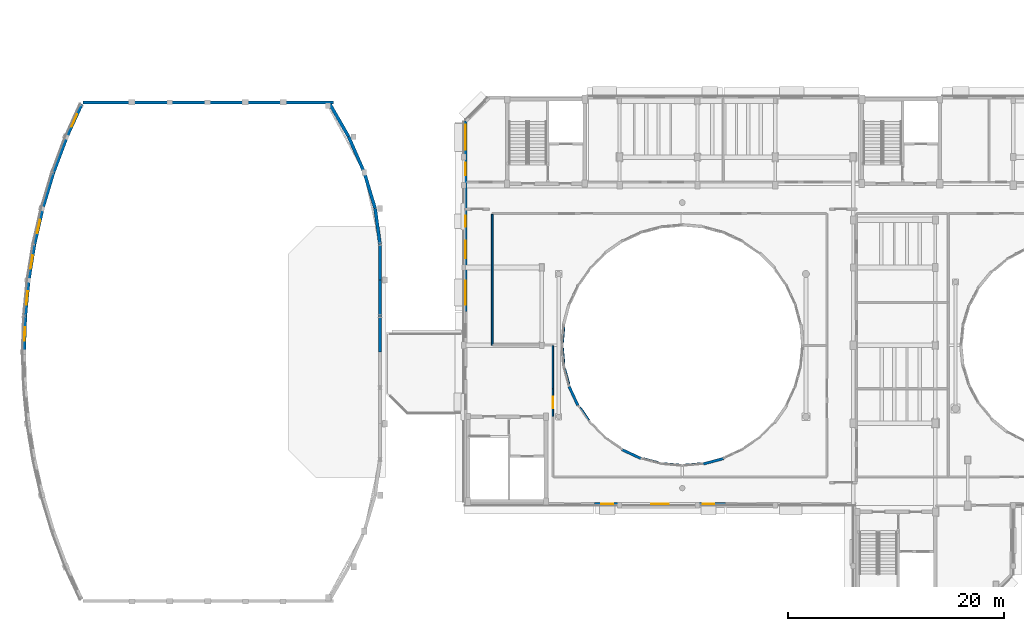
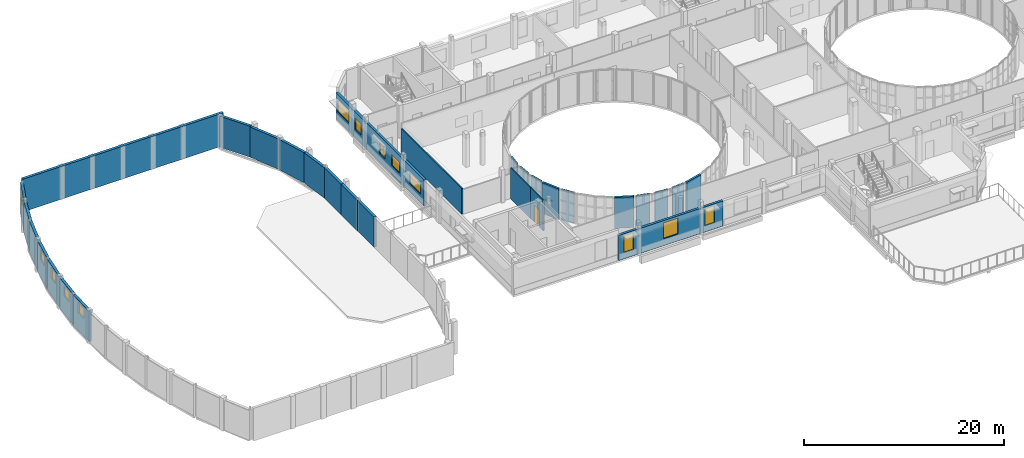
# One storey, part 66 of 89: 30 walls, 13 windows, 1 door, 14 openings.
"""IFC4 building model written with IfcOpenShell, lengths in metres."""

import ifcopenshell
import ifcopenshell.guid

model = None  # the IFC model being written
_history = None  # IfcOwnerHistory: only IFC2X3 demands one
_inside = {}  # id of a spatial element -> (the spatial element, [elements in it])
_under = {}  # id of a project, library or spatial element -> (it, [spatial elements below it])
_declared = {}  # id of a project -> (the project, [libraries it declares])
_typed = {}  # id of a type object -> (the type object, [elements of that type])
_made_of = {}  # id of a material, layer set ... -> (it, [elements and type objects made of it])


def new_model(schema):
    """Start an empty IFC model of exactly this schema.

    Asked for "IFC4X3", IfcOpenShell would pick the latest addendum, in which some entities
    have other attributes; the version numbers below select the first issue.
    IFC2X3 requires an IfcOwnerHistory on every rooted entity: one is made here for all.
    """
    global model, _history
    if schema == "IFC4X3":
        model = ifcopenshell.file(schema_version=(4, 3, 0, 0))
    else:
        model = ifcopenshell.file(schema=schema)
    _inside.clear()
    _under.clear()
    _declared.clear()
    _typed.clear()
    _made_of.clear()
    _history = None
    if model.schema == "IFC2X3":
        org = make("IfcOrganization", Name="unknown")
        user = make(
            "IfcPersonAndOrganization",
            ThePerson=make("IfcPerson", FamilyName="unknown"),
            TheOrganization=org,
        )
        app = make(
            "IfcApplication",
            ApplicationDeveloper=org,
            Version="unknown",
            ApplicationFullName="unknown",
            ApplicationIdentifier="unknown",
        )
        _history = make(
            "IfcOwnerHistory",
            OwningUser=user,
            OwningApplication=app,
            ChangeAction="ADDED",
            CreationDate=0,
        )
    return model


def make(cls, **values):
    """One entity of the class cls with the attributes given. An attribute that is None is left unset."""
    return model.create_entity(
        cls, **{name: value for name, value in values.items() if value is not None}
    )


def rooted(cls, **values):
    """An entity with a GlobalId (a new one), such as an element, a storey or a relation."""
    return make(cls, GlobalId=ifcopenshell.guid.new(), OwnerHistory=_history, **values)


def si_unit(unit_type, name, prefix=None):
    """IfcSIUnit, for example si_unit("LENGTHUNIT", "METRE", prefix="MILLI")."""
    return make("IfcSIUnit", UnitType=unit_type, Prefix=prefix, Name=name)


def assignment(units):
    """IfcUnitAssignment: the units of a project."""
    return None if units is None else make("IfcUnitAssignment", Units=units)


def point(xyz):
    """IfcCartesianPoint."""
    return None if xyz is None else make("IfcCartesianPoint", Coordinates=xyz)


def direction(xyz):
    """IfcDirection."""
    return None if xyz is None else make("IfcDirection", DirectionRatios=xyz)


def frame(location, z_axis=None, x_axis=None):
    """IfcAxis2Placement3D, a coordinate frame: its origin and axes. An axis left out is left unset."""
    return make(
        "IfcAxis2Placement3D",
        Location=point(location),
        Axis=direction(z_axis),
        RefDirection=direction(x_axis),
    )


def frame_2d(location, x_axis=None):
    """IfcAxis2Placement2D, a coordinate frame in the plane: its origin and x axis."""
    return make(
        "IfcAxis2Placement2D", Location=point(location), RefDirection=direction(x_axis)
    )


def origin():
    """The frame at (0, 0, 0) with its axes left unset."""
    return frame((0.0, 0.0, 0.0))


def place(relative_to, where):
    """IfcLocalPlacement: puts the frame where relative to a parent placement (None: the world)."""
    return make(
        "IfcLocalPlacement", PlacementRelTo=relative_to, RelativePlacement=where
    )


def context(
    kind, dimensions, precision=None, world=None, true_north=None, identifier=None
):
    """IfcGeometricRepresentationContext, for example the 3D "Model" context."""
    return make(
        "IfcGeometricRepresentationContext",
        ContextIdentifier=identifier,
        ContextType=kind,
        CoordinateSpaceDimension=dimensions,
        Precision=precision,
        WorldCoordinateSystem=world,
        TrueNorth=true_north,
    )


def subcontext(parent, identifier, kind, view, scale=None):
    """IfcGeometricRepresentationSubContext, for example "Body" below "Model"."""
    return make(
        "IfcGeometricRepresentationSubContext",
        ContextIdentifier=identifier,
        ContextType=kind,
        ParentContext=parent,
        TargetScale=scale,
        TargetView=view,
    )


def project(units=None, contexts=None):
    """IfcProject with its units and contexts."""
    return rooted(
        "IfcProject",
        Name="project",
        RepresentationContexts=contexts,
        UnitsInContext=assignment(units),
    )


def spatial(cls, under=None, at=None, **own):
    """A site, building, storey or space (cls), placed at a placement, below another one or the project."""
    s = rooted(cls, ObjectPlacement=at, **own)
    if under is not None:
        _under.setdefault(under.id(), (under, []))[1].append(s)
    return s


def profile(cls, at=None, kind="AREA", **sizes):
    """A parametric profile (cls). Its sizes go by their IFC names, for example OverallWidth=200.0."""
    return make(cls, ProfileType=kind, Position=at, **sizes)


def rectangle(**sizes):
    """IfcRectangleProfileDef."""
    return profile("IfcRectangleProfileDef", **sizes)


def extrude(swept, where, along, depth):
    """IfcExtrudedAreaSolid: the profile swept, set in the frame where, extruded along a direction by depth."""
    return make(
        "IfcExtrudedAreaSolid",
        SweptArea=swept,
        Position=where,
        ExtrudedDirection=direction(along),
        Depth=depth,
    )


def shape(context_of_items, identifier, shape_type, items):
    """IfcShapeRepresentation: the items that make up one representation, for example the "Body"."""
    return make(
        "IfcShapeRepresentation",
        ContextOfItems=context_of_items,
        RepresentationIdentifier=identifier,
        RepresentationType=shape_type,
        Items=items,
    )


def material(Name=None, Category=None):
    """IfcMaterial."""
    return make("IfcMaterial", Name=Name, Category=Category)


def layer(
    of_material, thickness, ventilated=None, Name=None, Category=None, Priority=None
):
    """IfcMaterialLayer: one layer of a wall or slab, of a material (None: an air gap)."""
    return make(
        "IfcMaterialLayer",
        Material=of_material,
        LayerThickness=thickness,
        IsVentilated=ventilated,
        Name=Name,
        Category=Category,
        Priority=Priority,
    )


def layer_set(layers, Name=None):
    """IfcMaterialLayerSet."""
    return make("IfcMaterialLayerSet", MaterialLayers=layers, LayerSetName=Name)


def made_of(thing, what):
    """Note that an element or type object is made of a material, layer set ...; save() writes the relation."""
    if what is not None:
        _made_of.setdefault(what.id(), (what, []))[1].append(thing)
    return thing


def type_object(cls, material=None, **own):
    """A type object (cls), such as IfcWallType, which elements share."""
    return made_of(rooted(cls, **own), material)


def element(
    cls,
    number,
    at=None,
    inside=None,
    cuts=None,
    type_object=None,
    material=None,
    context=None,
    identifier="Body",
    shape_type=None,
    held_by="IfcProductDefinitionShape",
    body=None,
    shapes=None,
    **own,
):
    """One element of the class cls, such as IfcWall. Its Tag is "e" and its number.

    at: its placement. inside: the storey or other place that contains it. cuts: it is an
    opening in that element (IfcRelVoidsElement). A single representation is given by context,
    identifier, shape_type and body (its items); several are given by shapes. held_by: the class
    of the entity that holds the representations. save() writes the other relations.
    """
    e = rooted(cls, Tag="e%d" % number, ObjectPlacement=at, **own)
    if body is not None:
        shapes = [shape(context, identifier, shape_type, body)]
    if shapes is not None:
        e.Representation = make(held_by, Representations=shapes)
    if inside is not None:
        _inside.setdefault(inside.id(), (inside, []))[1].append(e)
    if cuts is not None:
        rooted(
            "IfcRelVoidsElement", RelatingBuildingElement=cuts, RelatedOpeningElement=e
        )
    if type_object is not None:
        _typed.setdefault(type_object.id(), (type_object, []))[1].append(e)
    return made_of(e, material)


def fill(opening, filler):
    """IfcRelFillsElement: the door or window that sits in an opening."""
    return rooted(
        "IfcRelFillsElement",
        RelatingOpeningElement=opening,
        RelatedBuildingElement=filler,
    )


def aggregate(whole, parts):
    """IfcRelAggregates: a whole, such as a stair, and the parts it consists of."""
    return rooted("IfcRelAggregates", RelatingObject=whole, RelatedObjects=parts)


def save(model, path):
    """Write the relations noted so far, then the file.

    IfcRelAggregates (storeys below a building ...), IfcRelContainedInSpatialStructure (elements
    in a storey), IfcRelDefinesByType, IfcRelAssociatesMaterial and IfcRelDeclares: one each for
    every whole, place, type object, material and project.
    """
    for whole, parts in _under.values():
        aggregate(whole, parts)
    for where, things in _inside.values():
        rooted(
            "IfcRelContainedInSpatialStructure",
            RelatedElements=things,
            RelatingStructure=where,
        )
    for kind, things in _typed.values():
        rooted("IfcRelDefinesByType", RelatedObjects=things, RelatingType=kind)
    for what, things in _made_of.values():
        rooted("IfcRelAssociatesMaterial", RelatedObjects=things, RelatingMaterial=what)
    for by, libraries in _declared.values():
        rooted("IfcRelDeclares", RelatingContext=by, RelatedDefinitions=libraries)
    model.write(path)


model = new_model("IFC4")

# Units and contexts
model_context = context("Model", 3, precision=1e-05, world=origin(), true_north=direction((0.0, 1.0)))
body_context = subcontext(model_context, "Body", "Model", "MODEL_VIEW")
ifc_project = project(units=[si_unit("LENGTHUNIT", "METRE"), si_unit("AREAUNIT", "SQUARE_METRE"), si_unit("VOLUMEUNIT", "CUBIC_METRE"), si_unit("PLANEANGLEUNIT", "RADIAN"), si_unit("MASSUNIT", "GRAM", prefix="KILO")], contexts=[model_context])

# Site, building, storey
site_placement = place(None, origin())
site = spatial("IfcSite", under=ifc_project, at=site_placement, CompositionType="ELEMENT")
building_placement = place(site_placement, origin())
building = spatial("IfcBuilding", under=site, at=building_placement, Name="Kelanivale Promenade Academy", CompositionType="ELEMENT")
storey_placement = place(building_placement, frame((0.0, 0.0, 12.199951171875)))
storey = spatial("IfcBuildingStorey", under=building, at=storey_placement, Name="L03", CompositionType="ELEMENT", Elevation=12.199951171875)

# Wall, opening, window
ifc_material_1 = material(Name="Insulated terracotta-clad masonry wall 300 mm", Category="masonry")
ifc_layer_1 = layer(ifc_material_1, 0.300048828125)
ifc_layer_set_1 = layer_set([ifc_layer_1], Name="Insulated terracotta-clad masonry wall 300 mm")
wall_type_1 = type_object("IfcWallType", Name="EW-01 Wall 300mm", PredefinedType="SOLIDWALL", material=ifc_layer_set_1)
wall_1_placement = place(storey_placement, frame((2.656005859375, 59.513916015625, 0.0), z_axis=(0.0, 0.0, 1.0), x_axis=(-0.031956559473, -0.999489258725, 0.0)))
wall_1 = element("IfcWall", 1, at=wall_1_placement, inside=storey, type_object=wall_type_1, Name="Sports Hall Crescent Pavilion curved terracotta wall L03", PredefinedType="SOLIDWALL", context=body_context, shape_type="SweptSolid", body=[
    extrude(rectangle(XDim=3.315673828125, YDim=0.300048828125, at=frame_2d((1.65771484375, 0.0))), origin(), (0.0, 0.0, 1.0), 3.695068359375),
])
opening_1_placement = place(wall_1_placement, frame((1.032958984375, 0.0, 2.14990234375)))
opening_1 = element("IfcOpeningElement", 2, at=opening_1_placement, cuts=wall_1, Name="Opening WT-20", PredefinedType="OPENING", context=body_context, shape_type="SweptSolid", body=[
    extrude(rectangle(XDim=1.25, YDim=1.25, at=frame_2d((0.625, 0.625))), frame((0.0, 0.16015625, 0.0), z_axis=(0.0, -1.0, 0.0), x_axis=(1.0, 0.0, 0.0)), (0.0, 0.0, 1.0), 0.320068359375),
])
ifc_material_2 = material(Name="Bronze anodised aluminium frame with low-E laminated glass", Category="aluminium")
window_type_1 = type_object("IfcWindowType", Name="WT-20 Window 1250x1250", PartitioningType="SINGLE_PANEL", PredefinedType="WINDOW", material=ifc_material_2)
window_1_placement = place(opening_1_placement, origin())
window_1 = element("IfcWindow", 3, at=window_1_placement, inside=storey, type_object=window_type_1, Name="Window WT-20", OverallHeight=1.25, OverallWidth=1.25, PartitioningType="SINGLE_PANEL", PredefinedType="WINDOW", context=body_context, shape_type="SweptSolid", body=[
    extrude(rectangle(XDim=1.25, YDim=1.25, at=frame_2d((0.625, 0.625))), frame((0.0, 0.030029296875, 0.0), z_axis=(0.0, -1.0, 0.0), x_axis=(1.0, 0.0, 0.0)), (0.0, 0.0, 1.0), 0.06005859375),
])
fill(opening_1, window_1)

wall_2_placement = place(storey_placement, frame((2.97412109375, 62.8291015625, 0.0), z_axis=(0.0, 0.0, 1.0), x_axis=(-0.095518246268, -0.995427679256, 0.0)))
wall_2 = element("IfcWall", 4, at=wall_2_placement, inside=storey, type_object=wall_type_1, Name="Sports Hall Crescent Pavilion curved terracotta wall L03", PredefinedType="SOLIDWALL", context=body_context, shape_type="SweptSolid", body=[
    extrude(rectangle(XDim=3.330322265625, YDim=0.300048828125, at=frame_2d((1.6650390625, 0.0))), origin(), (0.0, 0.0, 1.0), 3.695068359375),
])
opening_2_placement = place(wall_2_placement, frame((1.0400390625, 0.0, 2.14990234375)))
opening_2 = element("IfcOpeningElement", 5, at=opening_2_placement, cuts=wall_2, Name="Opening WT-20", PredefinedType="OPENING", context=body_context, shape_type="SweptSolid", body=[
    extrude(rectangle(XDim=1.25, YDim=1.25, at=frame_2d((0.625, 0.625))), frame((0.0, 0.16015625, 0.0), z_axis=(0.0, -1.0, 0.0), x_axis=(1.0, 0.0, 0.0)), (0.0, 0.0, 1.0), 0.320068359375),
])
window_2_placement = place(opening_2_placement, origin())
window_2 = element("IfcWindow", 6, at=window_2_placement, inside=storey, type_object=window_type_1, Name="Window WT-20", OverallHeight=1.25, OverallWidth=1.25, PartitioningType="SINGLE_PANEL", PredefinedType="WINDOW", context=body_context, shape_type="SweptSolid", body=[
    extrude(rectangle(XDim=1.25, YDim=1.25, at=frame_2d((0.625, 0.625))), frame((0.0, 0.030029296875, 0.0), z_axis=(0.0, -1.0, 0.0), x_axis=(1.0, 0.0, 0.0)), (0.0, 0.0, 1.0), 0.06005859375),
])
fill(opening_2, window_2)

wall_3_placement = place(storey_placement, frame((3.509033203125, 66.14306640625, 0.0), z_axis=(0.0, 0.0, 1.0), x_axis=(-0.159349054769, -0.987222304623, 0.0)))
wall_3 = element("IfcWall", 7, at=wall_3_placement, inside=storey, type_object=wall_type_1, Name="Sports Hall Crescent Pavilion curved terracotta wall L03", PredefinedType="SOLIDWALL", context=body_context, shape_type="SweptSolid", body=[
    extrude(rectangle(XDim=3.35693359375, YDim=0.300048828125, at=frame_2d((1.678466796875, 0.0))), origin(), (0.0, 0.0, 1.0), 3.695068359375),
])
opening_3_placement = place(wall_3_placement, frame((1.052978515625, 0.0, 2.14990234375)))
opening_3 = element("IfcOpeningElement", 8, at=opening_3_placement, cuts=wall_3, Name="Opening WT-20", PredefinedType="OPENING", context=body_context, shape_type="SweptSolid", body=[
    extrude(rectangle(XDim=1.25, YDim=1.25, at=frame_2d((0.625, 0.625))), frame((0.0, 0.16015625, 0.0), z_axis=(0.0, -1.0, 0.0), x_axis=(1.0, 0.0, 0.0)), (0.0, 0.0, 1.0), 0.320068359375),
])
window_3_placement = place(opening_3_placement, origin())
window_3 = element("IfcWindow", 9, at=window_3_placement, inside=storey, type_object=window_type_1, Name="Window WT-20", OverallHeight=1.25, OverallWidth=1.25, PartitioningType="SINGLE_PANEL", PredefinedType="WINDOW", context=body_context, shape_type="SweptSolid", body=[
    extrude(rectangle(XDim=1.25, YDim=1.25, at=frame_2d((0.625, 0.625))), frame((0.0, 0.030029296875, 0.0), z_axis=(0.0, -1.0, 0.0), x_axis=(1.0, 0.0, 0.0)), (0.0, 0.0, 1.0), 0.06005859375),
])
fill(opening_3, window_3)

wall_4_placement = place(storey_placement, frame((4.26806640625, 69.45703125, 0.0), z_axis=(0.0, 0.0, 1.0), x_axis=(-0.223259599234, -0.974759022195, 0.0)))
wall_4 = element("IfcWall", 10, at=wall_4_placement, inside=storey, type_object=wall_type_1, Name="Sports Hall Crescent Pavilion curved terracotta wall L03", PredefinedType="SOLIDWALL", context=body_context, shape_type="SweptSolid", body=[
    extrude(rectangle(XDim=3.399658203125, YDim=0.300048828125, at=frame_2d((1.69970703125, 0.0))), origin(), (0.0, 0.0, 1.0), 3.695068359375),
])
opening_4_placement = place(wall_4_placement, frame((1.074951171875, 0.0, 2.14990234375)))
opening_4 = element("IfcOpeningElement", 11, at=opening_4_placement, cuts=wall_4, Name="Opening WT-20", PredefinedType="OPENING", context=body_context, shape_type="SweptSolid", body=[
    extrude(rectangle(XDim=1.25, YDim=1.25, at=frame_2d((0.625, 0.625))), frame((0.0, 0.16015625, 0.0), z_axis=(0.0, -1.0, 0.0), x_axis=(1.0, 0.0, 0.0)), (0.0, 0.0, 1.0), 0.320068359375),
])
window_4_placement = place(opening_4_placement, origin())
window_4 = element("IfcWindow", 12, at=window_4_placement, inside=storey, type_object=window_type_1, Name="Window WT-20", OverallHeight=1.25, OverallWidth=1.25, PartitioningType="SINGLE_PANEL", PredefinedType="WINDOW", context=body_context, shape_type="SweptSolid", body=[
    extrude(rectangle(XDim=1.25, YDim=1.25, at=frame_2d((0.625, 0.625))), frame((0.0, 0.030029296875, 0.0), z_axis=(0.0, -1.0, 0.0), x_axis=(1.0, 0.0, 0.0)), (0.0, 0.0, 1.0), 0.06005859375),
])
fill(opening_4, window_4)

# Walls
wall_5_placement = place(storey_placement, frame((5.260986328125, 72.77099609375, 0.0), z_axis=(0.0, 0.0, 1.0), x_axis=(-0.287011200065, -0.957927226379, 0.0)))
element("IfcWall", 13, at=wall_5_placement, inside=storey, type_object=wall_type_1, Name="Sports Hall Crescent Pavilion curved terracotta wall L03", PredefinedType="SOLIDWALL", context=body_context, shape_type="SweptSolid", body=[
    extrude(rectangle(XDim=3.45947265625, YDim=0.300048828125, at=frame_2d((1.729736328125, 0.0))), origin(), (0.0, 0.0, 1.0), 3.695068359375),
])
wall_6_placement = place(storey_placement, frame((6.5029296875, 76.0859375, 0.0), z_axis=(0.0, 0.0, 1.0), x_axis=(-0.350836219137, -0.936436835746, 0.0)))
element("IfcWall", 14, at=wall_6_placement, inside=storey, type_object=wall_type_1, Name="Sports Hall Crescent Pavilion curved terracotta wall L03", PredefinedType="SOLIDWALL", context=body_context, shape_type="SweptSolid", body=[
    extrude(rectangle(XDim=3.5400390625, YDim=0.300048828125, at=frame_2d((1.77001953125, 0.0))), origin(), (0.0, 0.0, 1.0), 3.695068359375),
])

# Wall, opening, window
wall_7_placement = place(storey_placement, frame((7.87109375, 79.091064453125, 0.0), z_axis=(0.0, 0.0, 1.0), x_axis=(-0.414354372568, -0.910115626684, 0.0)))
wall_7 = element("IfcWall", 15, at=wall_7_placement, inside=storey, type_object=wall_type_1, Name="Sports Hall Crescent Pavilion curved terracotta wall L03", PredefinedType="SOLIDWALL", context=body_context, shape_type="SweptSolid", body=[
    extrude(rectangle(XDim=3.302001953125, YDim=0.300048828125, at=frame_2d((1.65087890625, 0.0))), origin(), (0.0, 0.0, 1.0), 3.695068359375),
])
opening_5_placement = place(wall_7_placement, frame((1.02587890625, 0.0, 2.14990234375)))
opening_5 = element("IfcOpeningElement", 16, at=opening_5_placement, cuts=wall_7, Name="Opening WT-20", PredefinedType="OPENING", context=body_context, shape_type="SweptSolid", body=[
    extrude(rectangle(XDim=1.25, YDim=1.25, at=frame_2d((0.625, 0.625))), frame((0.0, 0.16015625, 0.0), z_axis=(0.0, -1.0, 0.0), x_axis=(1.0, 0.0, 0.0)), (0.0, 0.0, 1.0), 0.320068359375),
])
window_5_placement = place(opening_5_placement, origin())
window_5 = element("IfcWindow", 17, at=window_5_placement, inside=storey, type_object=window_type_1, Name="Window WT-20", OverallHeight=1.25, OverallWidth=1.25, PartitioningType="SINGLE_PANEL", PredefinedType="WINDOW", context=body_context, shape_type="SweptSolid", body=[
    extrude(rectangle(XDim=1.25, YDim=1.25, at=frame_2d((0.625, 0.625))), frame((0.0, 0.030029296875, 0.0), z_axis=(0.0, -1.0, 0.0), x_axis=(1.0, 0.0, 0.0)), (0.0, 0.0, 1.0), 0.06005859375),
])
fill(opening_5, window_5)

# Walls
wall_8_placement = place(storey_placement, frame((31.14990234375, 79.25, 0.0), z_axis=(0.0, 0.0, 1.0), x_axis=(-1.0, 0.0, 0.0)))
element("IfcWall", 18, at=wall_8_placement, inside=storey, type_object=wall_type_1, Name="Sports Hall Crescent Pavilion gable wall L03", PredefinedType="SOLIDWALL", context=body_context, shape_type="SweptSolid", body=[
    extrude(rectangle(XDim=23.137939453125, YDim=0.300048828125, at=frame_2d((11.56884765625, 0.0))), origin(), (0.0, 0.0, 1.0), 4.0),
])
wall_9_placement = place(storey_placement, frame((35.449951171875, 56.199951171875, 0.0), z_axis=(0.0, 0.0, 1.0), x_axis=(0.0, 1.0, 0.0)))
element("IfcWall", 19, at=wall_9_placement, inside=storey, type_object=wall_type_1, Name="Sports Hall Crescent Pavilion inner crescent wall L03", PredefinedType="SOLIDWALL", context=body_context, shape_type="SweptSolid", body=[
    extrude(rectangle(XDim=3.31396484375, YDim=0.300048828125, at=frame_2d((1.656982421875, 0.0))), origin(), (0.0, 0.0, 1.0), 3.695068359375),
])
wall_10_placement = place(storey_placement, frame((35.449951171875, 59.513916015625, 0.0), z_axis=(0.0, 0.0, 1.0), x_axis=(0.0, 1.0, 0.0)))
element("IfcWall", 20, at=wall_10_placement, inside=storey, type_object=wall_type_1, Name="Sports Hall Crescent Pavilion inner crescent wall L03", PredefinedType="SOLIDWALL", context=body_context, shape_type="SweptSolid", body=[
    extrude(rectangle(XDim=3.315185546875, YDim=0.300048828125, at=frame_2d((1.65771484375, 0.0))), origin(), (0.0, 0.0, 1.0), 3.695068359375),
])
wall_11_placement = place(storey_placement, frame((35.449951171875, 62.8291015625, 0.0), z_axis=(0.0, 0.0, 1.0), x_axis=(0.0, 1.0, 0.0)))
element("IfcWall", 21, at=wall_11_placement, inside=storey, type_object=wall_type_1, Name="Sports Hall Crescent Pavilion inner crescent wall L03", PredefinedType="SOLIDWALL", context=body_context, shape_type="SweptSolid", body=[
    extrude(rectangle(XDim=3.31396484375, YDim=0.300048828125, at=frame_2d((1.656982421875, 0.0))), origin(), (0.0, 0.0, 1.0), 3.695068359375),
])
wall_12_placement = place(storey_placement, frame((35.449951171875, 66.14306640625, 0.0), z_axis=(0.0, 0.0, 1.0), x_axis=(-0.134539839792, 0.990908185206, 0.0)))
element("IfcWall", 22, at=wall_12_placement, inside=storey, type_object=wall_type_1, Name="Sports Hall Crescent Pavilion inner crescent wall L03", PredefinedType="SOLIDWALL", context=body_context, shape_type="SweptSolid", body=[
    extrude(rectangle(XDim=3.344482421875, YDim=0.300048828125, at=frame_2d((1.67236328125, 0.0))), origin(), (0.0, 0.0, 1.0), 3.695068359375),
])
wall_13_placement = place(storey_placement, frame((35.0, 69.45703125, 0.0), z_axis=(0.0, 0.0, 1.0), x_axis=(-0.288887509039, 0.957363048755, 0.0)))
element("IfcWall", 23, at=wall_13_placement, inside=storey, type_object=wall_type_1, Name="Sports Hall Crescent Pavilion inner crescent wall L03", PredefinedType="SOLIDWALL", context=body_context, shape_type="SweptSolid", body=[
    extrude(rectangle(XDim=3.461669921875, YDim=0.300048828125, at=frame_2d((1.73095703125, 0.0))), origin(), (0.0, 0.0, 1.0), 3.695068359375),
])
wall_14_placement = place(storey_placement, frame((34.0, 72.77099609375, 0.0), z_axis=(0.0, 0.0, 1.0), x_axis=(-0.400740958437, 0.916191401526, 0.0)))
element("IfcWall", 24, at=wall_14_placement, inside=storey, type_object=wall_type_1, Name="Sports Hall Crescent Pavilion inner crescent wall L03", PredefinedType="SOLIDWALL", context=body_context, shape_type="SweptSolid", body=[
    extrude(rectangle(XDim=3.6181640625, YDim=0.300048828125, at=frame_2d((1.80908203125, 0.0))), origin(), (0.0, 0.0, 1.0), 3.695068359375),
])
wall_15_placement = place(storey_placement, frame((32.550048828125, 76.0859375, 0.0), z_axis=(0.0, 0.0, 1.0), x_axis=(-0.497392560198, 0.867525585248, 0.0)))
element("IfcWall", 25, at=wall_15_placement, inside=storey, type_object=wall_type_1, Name="Sports Hall Crescent Pavilion inner crescent wall L03", PredefinedType="SOLIDWALL", context=body_context, shape_type="SweptSolid", body=[
    extrude(rectangle(XDim=3.47998046875, YDim=0.300048828125, at=frame_2d((1.739990234375, 0.0))), origin(), (0.0, 0.0, 1.0), 3.780029296875),
])

# Wall, openings, windows
ifc_material_3 = material(Name="Insulated ivory stucco masonry wall 280 mm", Category="masonry")
ifc_layer_2 = layer(ifc_material_3, 0.280029296875)
ifc_layer_set_2 = layer_set([ifc_layer_2], Name="Insulated ivory stucco masonry wall 280 mm")
wall_type_2 = type_object("IfcWallType", Name="EW-02 Wall 280mm", PredefinedType="SOLIDWALL", material=ifc_layer_set_2)
wall_16_placement = place(storey_placement, frame((43.340087890625, 77.5380859375, 0.0), z_axis=(0.0, 0.0, 1.0), x_axis=(0.0, -1.0, 0.0)))
wall_16 = element("IfcWall", 26, at=wall_16_placement, inside=storey, type_object=wall_type_2, Name="L03 exterior facade wall EW-L03-ORT-0492", PredefinedType="SOLIDWALL", context=body_context, shape_type="SweptSolid", body=[
    extrude(rectangle(XDim=17.629150390625, YDim=0.280029296875, at=frame_2d((8.814453125, 0.0))), origin(), (0.0, 0.0, 1.0), 3.205078125),
])
opening_6_placement = place(wall_16_placement, frame((0.360107421875, 0.0, 1.050048828125)))
opening_6 = element("IfcOpeningElement", 27, at=opening_6_placement, cuts=wall_16, Name="Opening WT-28", PredefinedType="OPENING", context=body_context, shape_type="SweptSolid", body=[
    extrude(rectangle(XDim=2.300048828125, YDim=1.449951171875, at=frame_2d((1.14990234375, 0.72509765625))), frame((0.0, 0.14990234375, 0.0), z_axis=(0.0, -1.0, 0.0), x_axis=(1.0, 0.0, 0.0)), (0.0, 0.0, 1.0), 0.300048828125),
])
opening_7_placement = place(wall_16_placement, frame((3.864013671875, 0.0, 1.050048828125)))
opening_7 = element("IfcOpeningElement", 28, at=opening_7_placement, cuts=wall_16, Name="Opening WT-29", PredefinedType="OPENING", context=body_context, shape_type="SweptSolid", body=[
    extrude(rectangle(XDim=1.14990234375, YDim=1.39990234375, at=frame_2d((0.574951171875, 0.699951171875))), frame((0.0, 0.14990234375, 0.0), z_axis=(0.0, -1.0, 0.0), x_axis=(1.0, 0.0, 0.0)), (0.0, 0.0, 1.0), 0.300048828125),
])
opening_8_placement = place(wall_16_placement, frame((8.739013671875, 0.0, 1.050048828125)))
opening_8 = element("IfcOpeningElement", 29, at=opening_8_placement, cuts=wall_16, Name="Opening WT-30", PredefinedType="OPENING", context=body_context, shape_type="SweptSolid", body=[
    extrude(rectangle(XDim=1.050048828125, YDim=1.300048828125, at=frame_2d((0.52490234375, 0.64990234375))), frame((0.0, 0.14990234375, 0.0), z_axis=(0.0, -1.0, 0.0), x_axis=(1.0, 0.0, 0.0)), (0.0, 0.0, 1.0), 0.300048828125),
])
opening_9_placement = place(wall_16_placement, frame((11.090087890625, 0.0, 1.050048828125)))
opening_9 = element("IfcOpeningElement", 30, at=opening_9_placement, cuts=wall_16, Name="Opening WT-07", PredefinedType="OPENING", context=body_context, shape_type="SweptSolid", body=[
    extrude(rectangle(XDim=1.60009765625, YDim=1.35009765625, at=frame_2d((0.800048828125, 0.675048828125))), frame((0.0, 0.14990234375, 0.0), z_axis=(0.0, -1.0, 0.0), x_axis=(1.0, 0.0, 0.0)), (0.0, 0.0, 1.0), 0.300048828125),
])
opening_10_placement = place(wall_16_placement, frame((14.76611328125, 0.0, 1.050048828125)))
opening_10 = element("IfcOpeningElement", 31, at=opening_10_placement, cuts=wall_16, Name="Opening WT-08", PredefinedType="OPENING", context=body_context, shape_type="SweptSolid", body=[
    extrude(rectangle(XDim=2.199951171875, YDim=1.35009765625, at=frame_2d((1.10009765625, 0.675048828125))), frame((0.0, 0.14990234375, 0.0), z_axis=(0.0, -1.0, 0.0), x_axis=(1.0, 0.0, 0.0)), (0.0, 0.0, 1.0), 0.300048828125),
])
window_type_2 = type_object("IfcWindowType", Name="WT-07 Window 1600x1350", PartitioningType="SINGLE_PANEL", PredefinedType="WINDOW", material=ifc_material_2)
window_6_placement = place(opening_9_placement, origin())
window_6 = element("IfcWindow", 32, at=window_6_placement, inside=storey, type_object=window_type_2, Name="Window WT-07", OverallHeight=1.35009765625, OverallWidth=1.60009765625, PartitioningType="SINGLE_PANEL", PredefinedType="WINDOW", context=body_context, shape_type="SweptSolid", body=[
    extrude(rectangle(XDim=1.60009765625, YDim=1.35009765625, at=frame_2d((0.800048828125, 0.675048828125))), frame((0.0, 0.030029296875, 0.0), z_axis=(0.0, -1.0, 0.0), x_axis=(1.0, 0.0, 0.0)), (0.0, 0.0, 1.0), 0.06005859375),
])
fill(opening_9, window_6)
window_type_3 = type_object("IfcWindowType", Name="WT-08 Window 2200x1350", PartitioningType="SINGLE_PANEL", PredefinedType="WINDOW", material=ifc_material_2)
window_7_placement = place(opening_10_placement, origin())
window_7 = element("IfcWindow", 33, at=window_7_placement, inside=storey, type_object=window_type_3, Name="Window WT-08", OverallHeight=1.35009765625, OverallWidth=2.199951171875, PartitioningType="SINGLE_PANEL", PredefinedType="WINDOW", context=body_context, shape_type="SweptSolid", body=[
    extrude(rectangle(XDim=2.199951171875, YDim=1.35009765625, at=frame_2d((1.10009765625, 0.675048828125))), frame((0.0, 0.030029296875, 0.0), z_axis=(0.0, -1.0, 0.0), x_axis=(1.0, 0.0, 0.0)), (0.0, 0.0, 1.0), 0.06005859375),
])
fill(opening_10, window_7)
window_type_4 = type_object("IfcWindowType", Name="WT-28 Window 2300x1450", PartitioningType="SINGLE_PANEL", PredefinedType="WINDOW", material=ifc_material_2)
window_8_placement = place(opening_6_placement, origin())
window_8 = element("IfcWindow", 34, at=window_8_placement, inside=storey, type_object=window_type_4, Name="Window WT-28", OverallHeight=1.449951171875, OverallWidth=2.300048828125, PartitioningType="SINGLE_PANEL", PredefinedType="WINDOW", context=body_context, shape_type="SweptSolid", body=[
    extrude(rectangle(XDim=2.300048828125, YDim=1.449951171875, at=frame_2d((1.14990234375, 0.72509765625))), frame((0.0, 0.030029296875, 0.0), z_axis=(0.0, -1.0, 0.0), x_axis=(1.0, 0.0, 0.0)), (0.0, 0.0, 1.0), 0.06005859375),
])
fill(opening_6, window_8)
window_type_5 = type_object("IfcWindowType", Name="WT-29 Window 1150x1400", PartitioningType="SINGLE_PANEL", PredefinedType="WINDOW", material=ifc_material_2)
window_9_placement = place(opening_7_placement, origin())
window_9 = element("IfcWindow", 35, at=window_9_placement, inside=storey, type_object=window_type_5, Name="Window WT-29", OverallHeight=1.39990234375, OverallWidth=1.14990234375, PartitioningType="SINGLE_PANEL", PredefinedType="WINDOW", context=body_context, shape_type="SweptSolid", body=[
    extrude(rectangle(XDim=1.14990234375, YDim=1.39990234375, at=frame_2d((0.574951171875, 0.699951171875))), frame((0.0, 0.030029296875, 0.0), z_axis=(0.0, -1.0, 0.0), x_axis=(1.0, 0.0, 0.0)), (0.0, 0.0, 1.0), 0.06005859375),
])
fill(opening_7, window_9)
window_type_6 = type_object("IfcWindowType", Name="WT-30 Window 1050x1300", PartitioningType="SINGLE_PANEL", PredefinedType="WINDOW", material=ifc_material_2)
window_10_placement = place(opening_8_placement, origin())
window_10 = element("IfcWindow", 36, at=window_10_placement, inside=storey, type_object=window_type_6, Name="Window WT-30", OverallHeight=1.300048828125, OverallWidth=1.050048828125, PartitioningType="SINGLE_PANEL", PredefinedType="WINDOW", context=body_context, shape_type="SweptSolid", body=[
    extrude(rectangle(XDim=1.050048828125, YDim=1.300048828125, at=frame_2d((0.52490234375, 0.64990234375))), frame((0.0, 0.030029296875, 0.0), z_axis=(0.0, -1.0, 0.0), x_axis=(1.0, 0.0, 0.0)), (0.0, 0.0, 1.0), 0.06005859375),
])
fill(opening_8, window_10)

wall_17_placement = place(storey_placement, frame((55.29296875, 42.139892578125, 0.0), z_axis=(0.0, 0.0, 1.0), x_axis=(1.0, 0.0, 0.0)))
wall_17 = element("IfcWall", 37, at=wall_17_placement, inside=storey, type_object=wall_type_2, Name="L03 exterior facade wall EW-L03-ORT-0495", PredefinedType="SOLIDWALL", context=body_context, shape_type="SweptSolid", body=[
    extrude(rectangle(XDim=12.093994140625, YDim=0.280029296875, at=frame_2d((6.046875, 0.0))), origin(), (0.0, 0.0, 1.0), 3.06005859375),
])
opening_11_placement = place(wall_17_placement, frame((0.615966796875, 0.0, 0.75)))
opening_11 = element("IfcOpeningElement", 38, at=opening_11_placement, cuts=wall_17, Name="Opening WT-17", PredefinedType="OPENING", context=body_context, shape_type="SweptSolid", body=[
    extrude(rectangle(XDim=1.10009765625, YDim=2.10009765625, at=frame_2d((0.550048828125, 1.050048828125))), frame((0.0, 0.14990234375, 0.0), z_axis=(0.0, -1.0, 0.0), x_axis=(1.0, 0.0, 0.0)), (0.0, 0.0, 1.0), 0.300048828125),
])
opening_12_placement = place(wall_17_placement, frame((5.221923828125, 0.0, 0.85009765625)))
opening_12 = element("IfcOpeningElement", 39, at=opening_12_placement, cuts=wall_17, Name="Opening WT-16", PredefinedType="OPENING", context=body_context, shape_type="SweptSolid", body=[
    extrude(rectangle(XDim=1.64990234375, YDim=1.949951171875, at=frame_2d((0.824951171875, 0.97509765625))), frame((0.0, 0.14990234375, 0.0), z_axis=(0.0, -1.0, 0.0), x_axis=(1.0, 0.0, 0.0)), (0.0, 0.0, 1.0), 0.300048828125),
])
opening_13_placement = place(wall_17_placement, frame((9.97802734375, 0.0, 0.75)))
opening_13 = element("IfcOpeningElement", 40, at=opening_13_placement, cuts=wall_17, Name="Opening WT-17", PredefinedType="OPENING", context=body_context, shape_type="SweptSolid", body=[
    extrude(rectangle(XDim=1.10009765625, YDim=2.10009765625, at=frame_2d((0.550048828125, 1.050048828125))), frame((0.0, 0.14990234375, 0.0), z_axis=(0.0, -1.0, 0.0), x_axis=(1.0, 0.0, 0.0)), (0.0, 0.0, 1.0), 0.300048828125),
])
window_type_7 = type_object("IfcWindowType", Name="WT-16 Window 1650x1950", PartitioningType="SINGLE_PANEL", PredefinedType="WINDOW", material=ifc_material_2)
window_11_placement = place(opening_12_placement, origin())
window_11 = element("IfcWindow", 41, at=window_11_placement, inside=storey, type_object=window_type_7, Name="Window WT-16", OverallHeight=1.949951171875, OverallWidth=1.64990234375, PartitioningType="SINGLE_PANEL", PredefinedType="WINDOW", context=body_context, shape_type="SweptSolid", body=[
    extrude(rectangle(XDim=1.64990234375, YDim=1.949951171875, at=frame_2d((0.824951171875, 0.97509765625))), frame((0.0, 0.030029296875, 0.0), z_axis=(0.0, -1.0, 0.0), x_axis=(1.0, 0.0, 0.0)), (0.0, 0.0, 1.0), 0.06005859375),
])
fill(opening_12, window_11)
window_type_8 = type_object("IfcWindowType", Name="WT-17 Window 1100x2100", PartitioningType="SINGLE_PANEL", PredefinedType="WINDOW", material=ifc_material_2)
window_12_placement = place(opening_11_placement, origin())
window_12 = element("IfcWindow", 42, at=window_12_placement, inside=storey, type_object=window_type_8, Name="Window WT-17", OverallHeight=2.10009765625, OverallWidth=1.10009765625, PartitioningType="SINGLE_PANEL", PredefinedType="WINDOW", context=body_context, shape_type="SweptSolid", body=[
    extrude(rectangle(XDim=1.10009765625, YDim=2.10009765625, at=frame_2d((0.550048828125, 1.050048828125))), frame((0.0, 0.030029296875, 0.0), z_axis=(0.0, -1.0, 0.0), x_axis=(1.0, 0.0, 0.0)), (0.0, 0.0, 1.0), 0.06005859375),
])
fill(opening_11, window_12)
window_13_placement = place(opening_13_placement, origin())
window_13 = element("IfcWindow", 43, at=window_13_placement, inside=storey, type_object=window_type_8, Name="Window WT-17", OverallHeight=2.10009765625, OverallWidth=1.10009765625, PartitioningType="SINGLE_PANEL", PredefinedType="WINDOW", context=body_context, shape_type="SweptSolid", body=[
    extrude(rectangle(XDim=1.10009765625, YDim=2.10009765625, at=frame_2d((0.550048828125, 1.050048828125))), frame((0.0, 0.030029296875, 0.0), z_axis=(0.0, -1.0, 0.0), x_axis=(1.0, 0.0, 0.0)), (0.0, 0.0, 1.0), 0.06005859375),
])
fill(opening_13, window_13)

# Walls
ifc_material_4 = material(Name="Insulated courtyard stucco masonry wall 240 mm", Category="masonry")
ifc_layer_3 = layer(ifc_material_4, 0.239990234375)
ifc_layer_set_3 = layer_set([ifc_layer_3], Name="Insulated courtyard stucco masonry wall 240 mm")
wall_type_3 = type_object("IfcWallType", Name="EW-04 Wall 240mm", PredefinedType="SOLIDWALL", material=ifc_layer_set_3)
for number, where, z_axis, x_axis, name in (
    (44, (52.925048828125, 53.001953125, 0.0), (0.0, 0.0, 1.0), (0.423095895811, -0.906084909348, 0.0), "L03 round courtyard stucco wall"),
    (45, (57.818115234375, 47.157958984375, 0.0), (0.0, 0.0, 1.0), (0.906084909348, -0.423095895811, 0.0), "L03 round courtyard stucco wall"),
):
    element("IfcWall", number, at=place(storey_placement, frame(where, z_axis=z_axis, x_axis=x_axis)), inside=storey, type_object=wall_type_3, Name=name, PredefinedType="SOLIDWALL", context=body_context, shape_type="SweptSolid", body=[
        extrude(rectangle(XDim=1.96875, YDim=0.239990234375, at=frame_2d((0.984375, 0.0))), origin(), (0.0, 0.0, 1.0), 3.780029296875),
    ])
wall_18_placement = place(storey_placement, frame((65.322021484375, 45.825927734375, 0.0), z_axis=(0.0, 0.0, 1.0), x_axis=(0.966055450051, 0.258334797167, 0.0)))
element("IfcWall", 46, at=wall_18_placement, inside=storey, type_object=wall_type_3, Name="L03 round courtyard stucco wall", PredefinedType="SOLIDWALL", context=body_context, shape_type="SweptSolid", body=[
    extrude(rectangle(XDim=1.966552734375, YDim=0.239990234375, at=frame_2d((0.9833984375, 0.0))), origin(), (0.0, 0.0, 1.0), 3.780029296875),
])
ifc_material_5 = material(Name="Acoustic double-stud gypsum board partition 140 mm", Category="masonry")
ifc_layer_4 = layer(ifc_material_5, 0.139892578125)
ifc_layer_set_4 = layer_set([ifc_layer_4], Name="Acoustic double-stud gypsum board partition 140 mm")
wall_type_4 = type_object("IfcWallType", Name="IW-04 Wall 140mm", PredefinedType="PARTITIONING", material=ifc_layer_set_4)
wall_19_placement = place(storey_placement, frame((52.47509765625, 55.135009765625, 0.0), z_axis=(0.0, 0.0, 1.0), x_axis=(-0.086916960031, 0.996215560037, 0.0)))
element("IfcWall", 47, at=wall_19_placement, inside=storey, type_object=wall_type_4, Name="L03 partition Secondary Classroom West A", PredefinedType="PARTITIONING", context=body_context, shape_type="SweptSolid", body=[
    extrude(rectangle(XDim=1.393310546875, YDim=0.139892578125, at=frame_2d((0.69677734375, 0.0))), origin(), (0.0, 0.0, 1.0), 3.755126953125),
])
wall_20_placement = place(storey_placement, frame((51.429931640625, 56.77001953125, 0.0), z_axis=(0.0, 0.0, 1.0), x_axis=(0.0, -1.0, 0.0)))
element("IfcWall", 48, at=wall_20_placement, inside=storey, type_object=wall_type_4, Name="L03 partition Secondary Classroom West A", PredefinedType="PARTITIONING", context=body_context, shape_type="SweptSolid", body=[
    extrude(rectangle(XDim=4.0, YDim=0.139892578125, at=frame_2d((2.0, 0.0))), origin(), (0.0, 0.0, 1.0), 3.755126953125),
])

# Wall, opening, door
wall_21_placement = place(storey_placement, frame((51.429931640625, 52.77001953125, 0.0), z_axis=(0.0, 0.0, 1.0), x_axis=(0.0, -1.0, 0.0)))
wall_21 = element("IfcWall", 49, at=wall_21_placement, inside=storey, type_object=wall_type_4, Name="L03 partition Secondary Classroom West A", PredefinedType="PARTITIONING", context=body_context, shape_type="SweptSolid", body=[
    extrude(rectangle(XDim=2.5400390625, YDim=0.139892578125, at=frame_2d((1.27001953125, 0.0))), origin(), (0.0, 0.0, 1.0), 3.755126953125),
])
opening_14_placement = place(wall_21_placement, frame((0.7451171875, 0.0, 0.0)))
opening_14 = element("IfcOpeningElement", 50, at=opening_14_placement, cuts=wall_21, Name="Opening ID-L03-153", PredefinedType="OPENING", context=body_context, shape_type="SweptSolid", body=[
    extrude(rectangle(XDim=1.050048828125, YDim=2.10009765625, at=frame_2d((0.52490234375, 1.050048828125))), frame((0.0, 0.080078125, 0.0), z_axis=(0.0, -1.0, 0.0), x_axis=(1.0, 0.0, 0.0)), (0.0, 0.0, 1.0), 0.159912109375),
])
ifc_material_6 = material(Name="Solid-core tropical teak timber", Category="wood")
door_type = type_object("IfcDoorType", Name="DT-I02 Door 1050x2100", OperationType="NOTDEFINED", PredefinedType="DOOR", material=ifc_material_6)
door_placement = place(opening_14_placement, origin())
door = element("IfcDoor", 51, at=door_placement, inside=storey, type_object=door_type, Name="Secondary Classroom West A door ID-L03-153", OperationType="SINGLE_SWING_RIGHT", OverallHeight=2.10009765625, OverallWidth=1.050048828125, PredefinedType="DOOR", context=body_context, shape_type="SweptSolid", body=[
    extrude(rectangle(XDim=1.050048828125, YDim=2.10009765625, at=frame_2d((0.52490234375, 1.050048828125))), frame((0.0, 0.02490234375, 0.0), z_axis=(0.0, -1.0, 0.0), x_axis=(1.0, 0.0, 0.0)), (0.0, 0.0, 1.0), 0.050048828125),
])
fill(opening_14, door)

# Walls
wall_22_placement = place(storey_placement, frame((63.123046875, 45.75390625, 0.0), z_axis=(0.0, 0.0, 1.0), x_axis=(-0.996215560037, 0.086916960031, 0.0)))
element("IfcWall", 52, at=wall_22_placement, inside=storey, type_object=wall_type_4, Name="L03 partition Secondary Classroom West A", PredefinedType="PARTITIONING", context=body_context, shape_type="SweptSolid", body=[
    extrude(rectangle(XDim=1.393310546875, YDim=0.139892578125, at=frame_2d((0.69677734375, 0.0))), origin(), (0.0, 0.0, 1.0), 3.755126953125),
])
wall_23_placement = place(storey_placement, frame((61.22802734375, 45.965087890625, 0.0), z_axis=(0.0, 0.0, 1.0), x_axis=(-0.966013611766, 0.258491202719, 0.0)))
element("IfcWall", 53, at=wall_23_placement, inside=storey, type_object=wall_type_4, Name="L03 partition Secondary Classroom West A", PredefinedType="PARTITIONING", context=body_context, shape_type="SweptSolid", body=[
    extrude(rectangle(XDim=1.412109375, YDim=0.139892578125, at=frame_2d((0.7060546875, 0.0))), origin(), (0.0, 0.0, 1.0), 3.755126953125),
])
wall_24_placement = place(storey_placement, frame((54.77197265625, 49.89501953125, 0.0), z_axis=(0.0, 0.0, 1.0), x_axis=(-0.57368253481, 0.819077743108, 0.0)))
element("IfcWall", 54, at=wall_24_placement, inside=storey, type_object=wall_type_4, Name="L03 partition Secondary Classroom West A", PredefinedType="PARTITIONING", context=body_context, shape_type="SweptSolid", body=[
    extrude(rectangle(XDim=1.413818359375, YDim=0.139892578125, at=frame_2d((0.70703125, 0.0))), origin(), (0.0, 0.0, 1.0), 3.755126953125),
])
wall_25_placement = place(storey_placement, frame((52.929931640625, 53.263916015625, 0.0), z_axis=(0.0, 0.0, 1.0), x_axis=(-0.258491202719, 0.966013611766, 0.0)))
element("IfcWall", 55, at=wall_25_placement, inside=storey, type_object=wall_type_4, Name="L03 partition Secondary Classroom West A", PredefinedType="PARTITIONING", context=body_context, shape_type="SweptSolid", body=[
    extrude(rectangle(XDim=1.412109375, YDim=0.139892578125, at=frame_2d((0.7060546875, 0.0))), origin(), (0.0, 0.0, 1.0), 3.755126953125),
])
wall_26_placement = place(storey_placement, frame((45.830078125, 68.902099609375, 0.0), z_axis=(0.0, 0.0, 1.0), x_axis=(0.0, -1.0, 0.0)))
element("IfcWall", 56, at=wall_26_placement, inside=storey, type_object=wall_type_4, Name="L03 partition Secondary Classroom West B", PredefinedType="PARTITIONING", context=body_context, shape_type="SweptSolid", body=[
    extrude(rectangle(XDim=12.072021484375, YDim=0.139892578125, at=frame_2d((6.0361328125, 0.0))), origin(), (0.0, 0.0, 1.0), 3.155029296875),
])
wall_27_placement = place(storey_placement, frame((52.35400390625, 57.076904296875, 0.0), z_axis=(0.0, 0.0, 1.0), x_axis=(0.086901789347, 0.996216883519, 0.0)))
element("IfcWall", 57, at=wall_27_placement, inside=storey, type_object=wall_type_4, Name="L03 partition Secondary Classroom West B", PredefinedType="PARTITIONING", context=body_context, shape_type="SweptSolid", body=[
    extrude(rectangle(XDim=1.3935546875, YDim=0.139892578125, at=frame_2d((0.69677734375, 0.0))), origin(), (0.0, 0.0, 1.0), 3.755126953125),
])
wall_28_placement = place(storey_placement, frame((65.06494140625, 45.875, 0.0), z_axis=(0.0, 0.0, 1.0), x_axis=(-0.996215560037, -0.086916960031, 0.0)))
element("IfcWall", 58, at=wall_28_placement, inside=storey, type_object=wall_type_4, Name="L03 partition Art Studio Courtyard South", PredefinedType="PARTITIONING", context=body_context, shape_type="SweptSolid", body=[
    extrude(rectangle(XDim=1.393310546875, YDim=0.139892578125, at=frame_2d((0.69677734375, 0.0))), origin(), (0.0, 0.0, 1.0), 3.755126953125),
])

save(model, "model.ifc")
